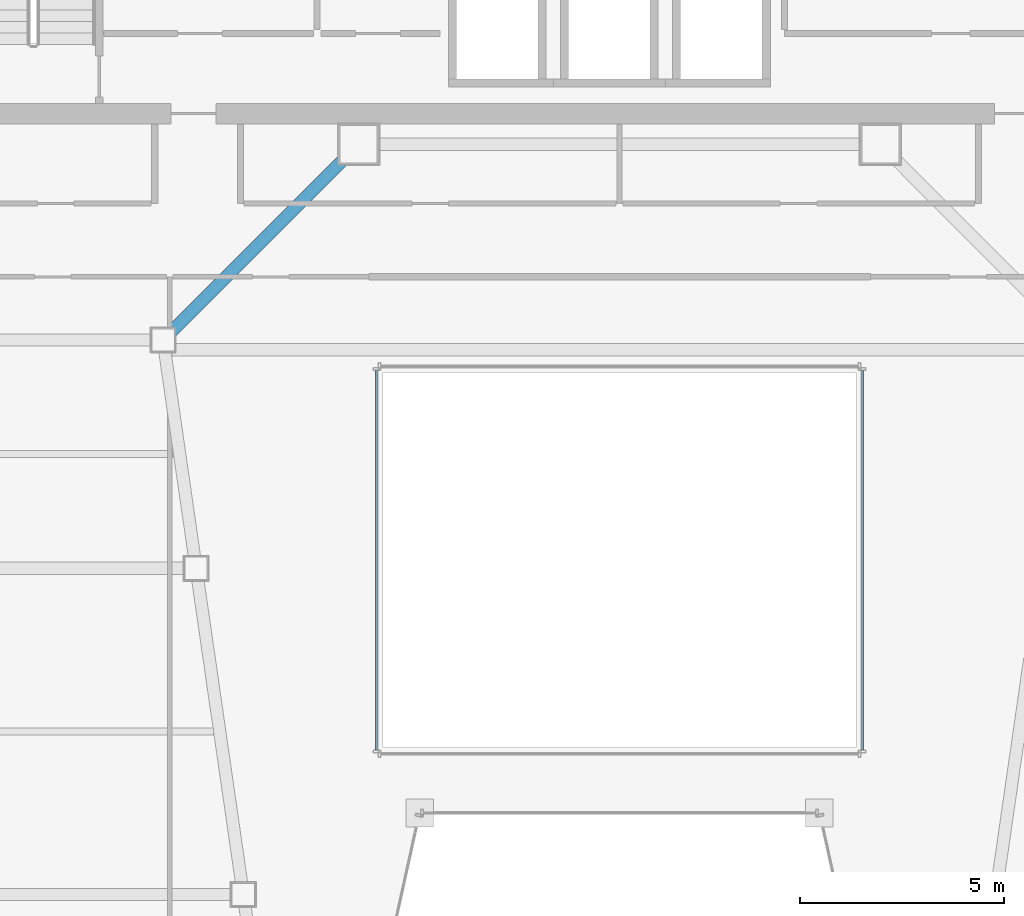
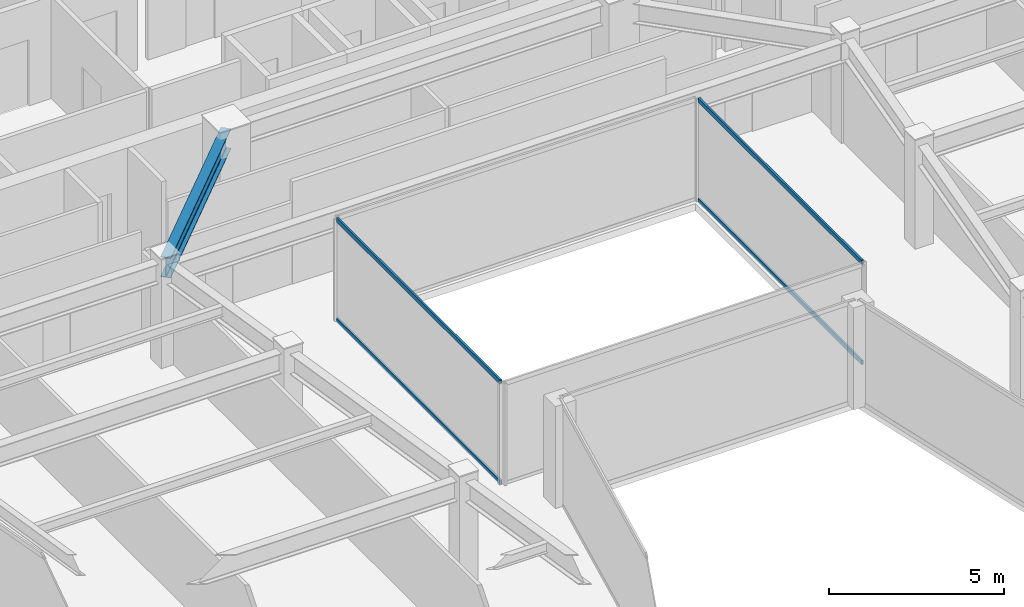
# One storey, part 11 of 35: 4 members, 1 beam, 2 elements without a shape of their own.
"""IFC4 building model written with IfcOpenShell, lengths in metres."""

from ifc_helpers import new_model, si_unit, direction, frame, origin, origin_2d, place, context, subcontext, project, spatial, hollow_rectangle, i_section, extrude, material, material_profile, profile_set, type_object, element, aggregate, save


model = new_model("IFC4")

# Units and contexts
model_context = context("Model", 3, precision=1e-05, world=origin(), true_north=direction((0.0, 1.0)))
body_context = subcontext(model_context, "Body", "Model", "MODEL_VIEW")
ifc_project = project(units=[si_unit("LENGTHUNIT", "METRE"), si_unit("AREAUNIT", "SQUARE_METRE"), si_unit("VOLUMEUNIT", "CUBIC_METRE"), si_unit("PLANEANGLEUNIT", "RADIAN"), si_unit("MASSUNIT", "GRAM", prefix="KILO")], contexts=[model_context])

# Site, building, storey
site_placement = place(None, origin())
site = spatial("IfcSite", under=ifc_project, at=site_placement, CompositionType="ELEMENT")
building_placement = place(site_placement, origin())
building = spatial("IfcBuilding", under=site, at=building_placement, Name="Saevonmaru Cultural Tower", CompositionType="ELEMENT")
storey_placement = place(building_placement, frame((0.0, 0.0, 179.0)))
storey = spatial("IfcBuildingStorey", under=building, at=storey_placement, Name="L40", CompositionType="ELEMENT", Elevation=179.0)

# Beam
ifc_material_1 = material(Name="Steel SM355", Category="steel")
ifc_material_profile_1 = material_profile(ifc_material_1, i_section(OverallWidth=0.300048828125, OverallDepth=0.699951171875, WebThickness=0.012939453125, FlangeThickness=0.02392578125, FilletRadius=0.02587890625, at=origin_2d()), Name="H-700x300x13x24")
ifc_profile_set_1 = profile_set([ifc_material_profile_1], Name="Steel SM355")
beam_type = type_object("IfcBeamType", Name="BM-G-H700", PredefinedType="BEAM", material=ifc_profile_set_1)
beam_placement = place(storey_placement, frame((18.850341796875, 37.642578125, 3.199951171875), z_axis=(0.706538566564, 0.707674539572, 0.0), x_axis=(-0.707674539572, 0.706538566564, 0.0)))
element("IfcBeam", 1, at=beam_placement, inside=storey, type_object=beam_type, Name="L40 West Atrium Girder 4", PredefinedType="BEAM", context=body_context, shape_type="SweptSolid", body=[
    extrude(i_section(OverallWidth=0.300048828125, OverallDepth=0.699951171875, WebThickness=0.012939453125, FlangeThickness=0.02392578125, FilletRadius=0.02587890625, at=origin_2d()), origin(), (0.0, 0.0, 1.0), 6.662353515625),
])

# Curtain wall, members
ifc_material_2 = material(Name="Satin Bronze Anodised Aluminium", Category="aluminium")
curtain_wall_type = type_object("IfcCurtainWallType", Name="CW-ATR-GLZ", PredefinedType="NOTDEFINED", material=ifc_material_2)
curtain_wall_1_placement = place(storey_placement, origin())
curtain_wall_1 = element("IfcCurtainWall", 2, at=curtain_wall_1_placement, inside=storey, type_object=curtain_wall_type, Name="L40 Vertical Atrium Glazed Smoke Screen 2", PredefinedType="NOTDEFINED")
ifc_material_profile_2 = material_profile(ifc_material_2, hollow_rectangle(XDim=0.06494140625, YDim=0.14990234375, WallThickness=0.00390625, at=origin_2d()), Name="ALU-TRAN-150x65x4")
ifc_profile_set_2 = profile_set([ifc_material_profile_2], Name="Satin Bronze Anodised Aluminium")
member_type = type_object("IfcMemberType", Name="TR-CW-INT-150x65", PredefinedType="USERDEFINED", material=ifc_profile_set_2)
member_1_placement = place(storey_placement, frame((35.949951171875, 27.54248046875, 0.032470703125), z_axis=(0.0, 1.0, 0.0), x_axis=(-1.0, 0.0, 0.0)))
member_1 = element("IfcMember", 3, at=member_1_placement, type_object=member_type, Name="CW-ATR-L40-2 transom 1.1", ObjectType="TRANSOM", PredefinedType="USERDEFINED", context=body_context, shape_type="SweptSolid", body=[
    extrude(hollow_rectangle(XDim=0.06494140625, YDim=0.14990234375, WallThickness=0.00390625, at=origin_2d()), origin(), (0.0, 0.0, 1.0), 9.31494140625),
])
member_2_placement = place(storey_placement, frame((35.949951171875, 27.54248046875, 3.517578125), z_axis=(0.0, 1.0, 0.0), x_axis=(-1.0, 0.0, 0.0)))
member_2 = element("IfcMember", 4, at=member_2_placement, type_object=member_type, Name="CW-ATR-L40-2 transom 1.2", ObjectType="TRANSOM", PredefinedType="USERDEFINED", context=body_context, shape_type="SweptSolid", body=[
    extrude(hollow_rectangle(XDim=0.06494140625, YDim=0.14990234375, WallThickness=0.00390625, at=origin_2d()), origin(), (0.0, 0.0, 1.0), 9.31494140625),
])
aggregate(curtain_wall_1, [member_1, member_2])

curtain_wall_2_placement = place(storey_placement, origin())
curtain_wall_2 = element("IfcCurtainWall", 5, at=curtain_wall_2_placement, inside=storey, type_object=curtain_wall_type, Name="L40 Vertical Atrium Glazed Smoke Screen 4", PredefinedType="NOTDEFINED")
member_3_placement = place(storey_placement, frame((24.050048828125, 36.857421875, 0.032470703125), z_axis=(0.0, -1.0, 0.0), x_axis=(1.0, 0.0, 0.0)))
member_3 = element("IfcMember", 6, at=member_3_placement, type_object=member_type, Name="CW-ATR-L40-4 transom 1.1", ObjectType="TRANSOM", PredefinedType="USERDEFINED", context=body_context, shape_type="SweptSolid", body=[
    extrude(hollow_rectangle(XDim=0.06494140625, YDim=0.14990234375, WallThickness=0.00390625, at=origin_2d()), origin(), (0.0, 0.0, 1.0), 9.31494140625),
])
member_4_placement = place(storey_placement, frame((24.050048828125, 36.857421875, 3.517578125), z_axis=(0.0, -1.0, 0.0), x_axis=(1.0, 0.0, 0.0)))
member_4 = element("IfcMember", 7, at=member_4_placement, type_object=member_type, Name="CW-ATR-L40-4 transom 1.2", ObjectType="TRANSOM", PredefinedType="USERDEFINED", context=body_context, shape_type="SweptSolid", body=[
    extrude(hollow_rectangle(XDim=0.06494140625, YDim=0.14990234375, WallThickness=0.00390625, at=origin_2d()), origin(), (0.0, 0.0, 1.0), 9.31494140625),
])
aggregate(curtain_wall_2, [member_3, member_4])

save(model, "model.ifc")
